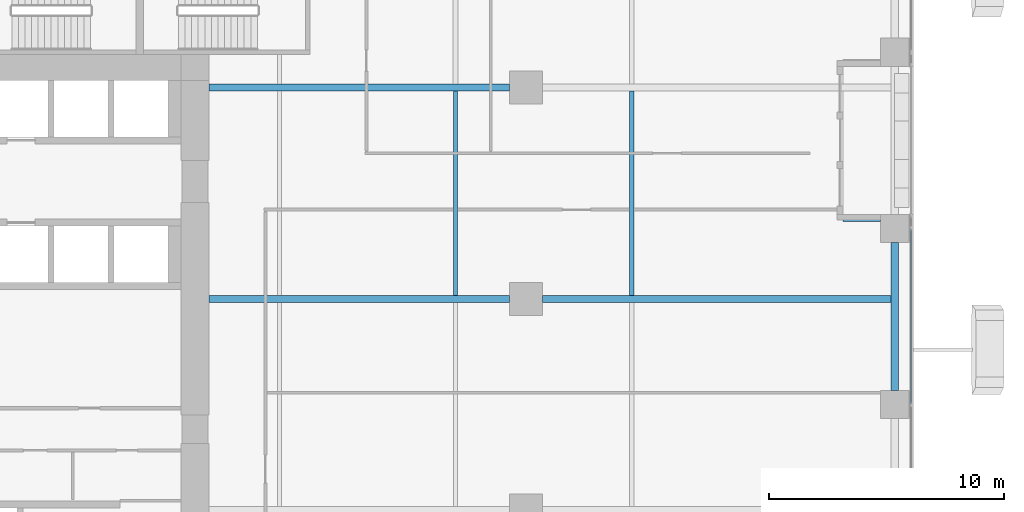
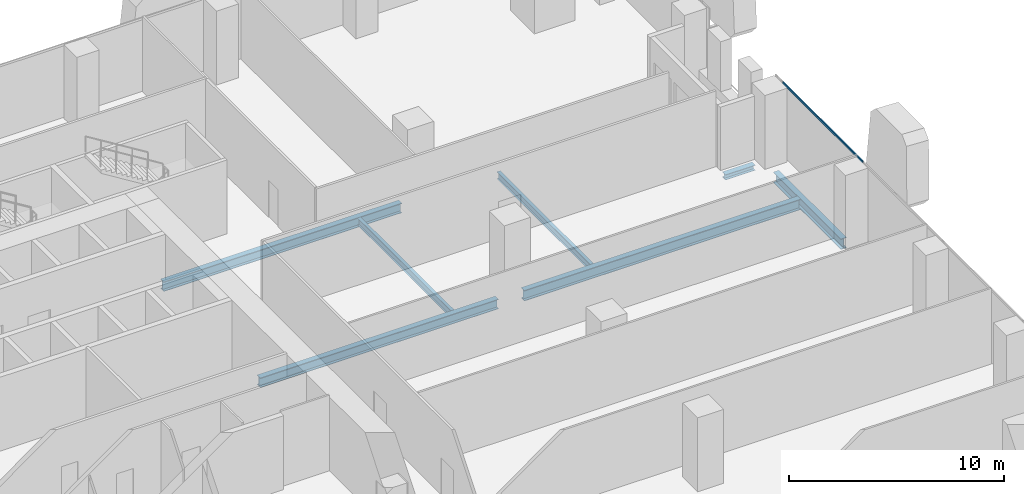
# One storey, part 16 of 35: 7 beams, 1 member, 1 element without a shape of its own.
"""IFC4 building model written with IfcOpenShell, lengths in metres."""

from ifc_helpers import new_model, si_unit, direction, frame, origin, origin_2d, place, context, subcontext, project, spatial, hollow_rectangle, i_section, extrude, source, transform, mapped, material, material_profile, profile_set, type_object, element, aggregate, save


model = new_model("IFC4")

# Units and contexts
model_context = context("Model", 3, precision=1e-05, world=origin(), true_north=direction((0.0, 1.0)))
body_context = subcontext(model_context, "Body", "Model", "MODEL_VIEW")
ifc_project = project(units=[si_unit("LENGTHUNIT", "METRE"), si_unit("AREAUNIT", "SQUARE_METRE"), si_unit("VOLUMEUNIT", "CUBIC_METRE"), si_unit("PLANEANGLEUNIT", "RADIAN"), si_unit("MASSUNIT", "GRAM", prefix="KILO")], contexts=[model_context])

# Site, building, storey
site_placement = place(None, origin())
site = spatial("IfcSite", under=ifc_project, at=site_placement, CompositionType="ELEMENT")
building_placement = place(site_placement, origin())
building = spatial("IfcBuilding", under=site, at=building_placement, Name="Khomas Fold Tower", CompositionType="ELEMENT")
storey_placement = place(building_placement, frame((0.0, 0.0, 69.0)))
storey = spatial("IfcBuildingStorey", under=building, at=storey_placement, Name="L14", CompositionType="ELEMENT", Elevation=69.0)

# Beams
ifc_material_1 = material(Name="Steel S355", Category="steel")
ifc_material_profile_1 = material_profile(ifc_material_1, i_section(OverallWidth=0.300048828125, OverallDepth=0.550048828125, WebThickness=0.014892578125, FlangeThickness=0.029052734375, at=origin_2d()), Name="HE 550 B")
ifc_profile_set_1 = profile_set([ifc_material_profile_1], Name="Steel S355")
beam_type_1 = type_object("IfcBeamType", Name="HE 550 B beam GB4", PredefinedType="BEAM", material=ifc_profile_set_1)
shared_shape_1 = source(origin(), body_context, "Body", "SweptSolid", [
    extrude(i_section(OverallWidth=0.300048828125, OverallDepth=0.550048828125, WebThickness=0.014892578125, FlangeThickness=0.029052734375, at=origin_2d()), origin(), (0.0, 0.0, 1.0), 12.800048828125),
])
for number, where, z_axis, x_axis, name in (
    (1, (24.0, 31.5, -0.574951171875), (1.0, 0.0, 0.0), (0.0, 1.0, 0.0), "GB4"),
    (2, (24.0, 40.5, -0.574951171875), (1.0, 0.0, 0.0), (0.0, 1.0, 0.0), "GB4"),
):
    element("IfcBeam", number, at=place(storey_placement, frame(where, z_axis=z_axis, x_axis=x_axis)), inside=storey, type_object=beam_type_1, Name=name, PredefinedType="BEAM", context=body_context, shape_type="MappedRepresentation", body=[
        mapped(shared_shape_1, transform((0.0, 0.0, 0.0))),
    ])
ifc_material_2 = material(Name="Steel S355", Category="steel")
ifc_material_profile_2 = material_profile(ifc_material_2, i_section(OverallWidth=0.179931640625, OverallDepth=0.39990234375, WebThickness=0.008544921875, FlangeThickness=0.013427734375, at=origin_2d()), Name="IPE 400")
ifc_profile_set_2 = profile_set([ifc_material_profile_2], Name="Steel S355")
beam_type_2 = type_object("IfcBeamType", Name="IPE 400 beam JB3", PredefinedType="BEAM", material=ifc_profile_set_2)
shared_shape_2 = source(origin(), body_context, "Body", "SweptSolid", [
    extrude(i_section(OverallWidth=0.179931640625, OverallDepth=0.39990234375, WebThickness=0.008544921875, FlangeThickness=0.013427734375, at=origin_2d()), origin(), (0.0, 0.0, 1.0), 8.7001953125),
])
for number, where, z_axis, x_axis, name in (
    (3, (34.5, 31.64990234375, -0.5), (0.0, 1.0, 0.0), (-1.0, 0.0, 0.0), "JB3"),
    (4, (42.0, 31.64990234375, -0.5), (0.0, 1.0, 0.0), (-1.0, 0.0, 0.0), "JB3"),
):
    element("IfcBeam", number, at=place(storey_placement, frame(where, z_axis=z_axis, x_axis=x_axis)), inside=storey, type_object=beam_type_2, Name=name, PredefinedType="BEAM", context=body_context, shape_type="MappedRepresentation", body=[
        mapped(shared_shape_2, transform((0.0, 0.0, 0.0))),
    ])
ifc_material_3 = material(Name="Steel S355", Category="steel")
ifc_material_profile_3 = material_profile(ifc_material_3, i_section(OverallWidth=0.300048828125, OverallDepth=0.60009765625, WebThickness=0.015380859375, FlangeThickness=0.030029296875, at=origin_2d()), Name="HE 600 B")
ifc_profile_set_3 = profile_set([ifc_material_profile_3], Name="Steel S355")
beam_type_3 = type_object("IfcBeamType", Name="HE 600 B spandrel SB1", PredefinedType="SPANDREL", material=ifc_profile_set_3)
shared_shape_3 = source(origin(), body_context, "Body", "SweptSolid", [
    extrude(i_section(OverallWidth=0.300048828125, OverallDepth=0.60009765625, WebThickness=0.015380859375, FlangeThickness=0.030029296875, at=origin_2d()), origin(), (0.0, 0.0, 1.0), 6.2998046875),
])
beam_1_placement = place(storey_placement, frame((53.199951171875, 27.60009765625, -0.60009765625), z_axis=(0.0, 1.0, 0.0), x_axis=(-1.0, 0.0, 0.0)))
element("IfcBeam", 5, at=beam_1_placement, inside=storey, type_object=beam_type_3, Name="SB1", PredefinedType="SPANDREL", context=body_context, shape_type="MappedRepresentation", body=[
    mapped(shared_shape_3, transform((0.0, 0.0, 0.0))),
])
ifc_material_4 = material(Name="Steel S355", Category="steel")
ifc_material_profile_4 = material_profile(ifc_material_4, i_section(OverallWidth=0.300048828125, OverallDepth=0.60009765625, WebThickness=0.015380859375, FlangeThickness=0.030029296875, at=origin_2d()), Name="HE 600 B")
ifc_profile_set_4 = profile_set([ifc_material_profile_4], Name="Steel S355")
beam_type_4 = type_object("IfcBeamType", Name="HE 600 B beam GB5", PredefinedType="BEAM", material=ifc_profile_set_4)
shared_shape_4 = source(origin(), body_context, "Body", "SweptSolid", [
    extrude(i_section(OverallWidth=0.300048828125, OverallDepth=0.60009765625, WebThickness=0.015380859375, FlangeThickness=0.030029296875, at=origin_2d()), origin(), (0.0, 0.0, 1.0), 14.85009765625),
])
beam_2_placement = place(storey_placement, frame((38.199951171875, 31.5, -0.60009765625), z_axis=(1.0, 0.0, 0.0), x_axis=(0.0, 1.0, 0.0)))
element("IfcBeam", 6, at=beam_2_placement, inside=storey, type_object=beam_type_4, Name="GB5", PredefinedType="BEAM", context=body_context, shape_type="MappedRepresentation", body=[
    mapped(shared_shape_4, transform((0.0, 0.0, 0.0))),
])
ifc_material_5 = material(Name="Steel S355", Category="steel")
ifc_material_profile_5 = material_profile(ifc_material_5, i_section(OverallWidth=0.300048828125, OverallDepth=0.300048828125, WebThickness=0.010986328125, FlangeThickness=0.01904296875, at=origin_2d()), Name="HE 300 B")
ifc_profile_set_5 = profile_set([ifc_material_profile_5], Name="Steel S355")
beam_type_5 = type_object("IfcBeamType", Name="HE 300 B beam BB1", PredefinedType="BEAM", material=ifc_profile_set_5)
shared_shape_5 = source(origin(), body_context, "Body", "SweptSolid", [
    extrude(i_section(OverallWidth=0.300048828125, OverallDepth=0.300048828125, WebThickness=0.010986328125, FlangeThickness=0.01904296875, at=origin_2d()), origin(), (0.0, 0.0, 1.0), 1.60009765625),
])
beam_3_placement = place(storey_placement, frame((51.0, 34.949951171875, -0.449951171875), z_axis=(1.0, 0.0, 0.0), x_axis=(0.0, 1.0, 0.0)))
element("IfcBeam", 7, at=beam_3_placement, inside=storey, type_object=beam_type_5, Name="BB1", PredefinedType="BEAM", context=body_context, shape_type="MappedRepresentation", body=[
    mapped(shared_shape_5, transform((0.0, 0.0, 0.0))),
])

# Curtain wall, member
ifc_material_6 = material(Name="Aluminium framed double glazing", Category="aluminium")
curtain_wall_type = type_object("IfcCurtainWallType", Name="SK-Unitised clear-glass wall, growing floors CW1", PredefinedType="NOTDEFINED", material=ifc_material_6)
curtain_wall_placement = place(storey_placement, origin())
curtain_wall = element("IfcCurtainWall", 8, at=curtain_wall_placement, inside=storey, type_object=curtain_wall_type, Name="CW1 run L14 03-0", PredefinedType="NOTDEFINED")
ifc_material_7 = material(Name="Aluminium", Category="aluminium")
ifc_material_profile_6 = material_profile(ifc_material_7, hollow_rectangle(XDim=0.06005859375, YDim=0.1201171875, WallThickness=0.00390625, at=origin_2d()), Name="SK-Unitised clear-glass wall, growing floors transom CW1-T")
ifc_profile_set_6 = profile_set([ifc_material_profile_6], Name="Aluminium")
member_type = type_object("IfcMemberType", Name="SK-Unitised clear-glass wall, growing floors transom CW1-T", PredefinedType="USERDEFINED", material=ifc_profile_set_6)
shared_shape_6 = source(origin(), body_context, "Body", "SweptSolid", [
    extrude(hollow_rectangle(XDim=0.06005859375, YDim=0.1201171875, WallThickness=0.00390625, at=origin_2d()), origin(), (0.0, 0.0, 1.0), 7.43994140625),
])
member_placement = place(storey_placement, frame((53.89990234375, 27.030029296875, 4.139892578125), z_axis=(0.0, 1.0, 0.0), x_axis=(-1.0, 0.0, 0.0)))
member = element("IfcMember", 9, at=member_placement, type_object=member_type, Name="CW1 transom 5", ObjectType="TRANSOM", PredefinedType="USERDEFINED", context=body_context, shape_type="MappedRepresentation", body=[
    mapped(shared_shape_6, transform((0.0, 0.0, 0.0))),
])
aggregate(curtain_wall, [member])

save(model, "model.ifc")
